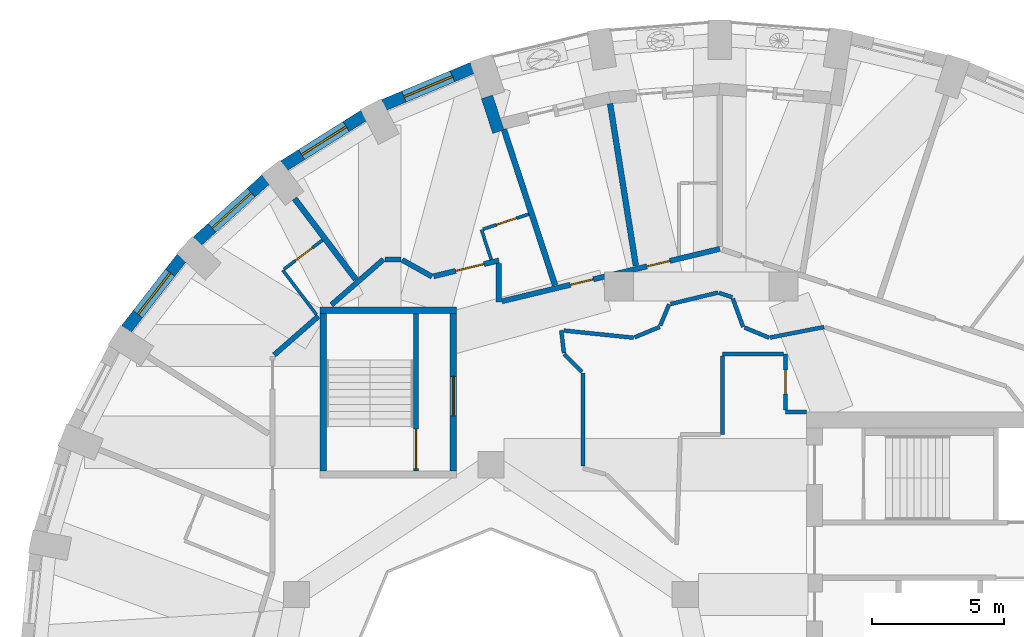
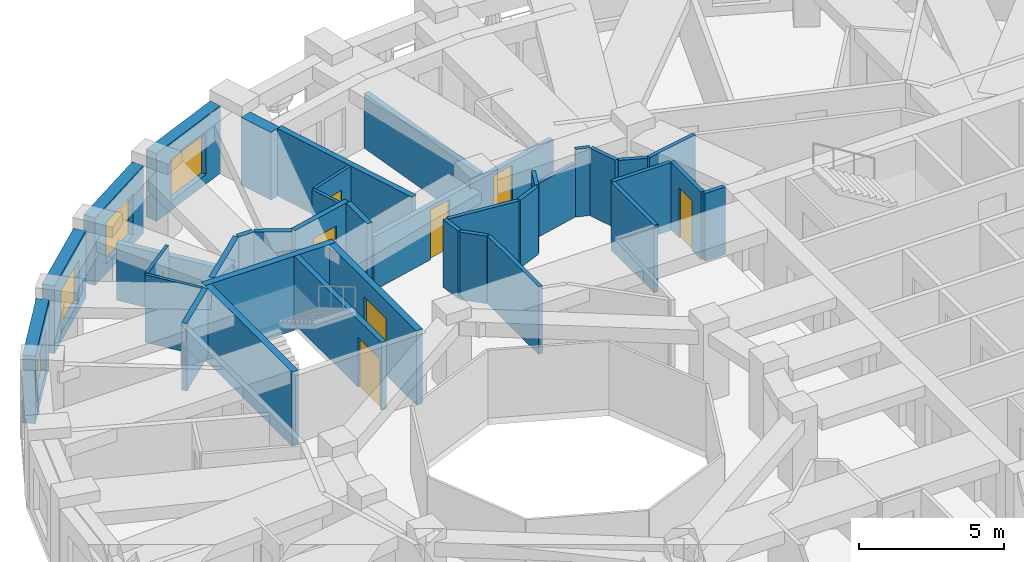
# One storey, part 7 of 12: 38 walls, 8 doors, 4 windows, 12 openings.
"""IFC4 building model written with IfcOpenShell, lengths in metres."""

from ifc_helpers import new_model, si_unit, direction, frame, frame_2d, origin, place, context, subcontext, project, spatial, rectangle, extrude, material, layer, layer_set, type_object, element, fill, save


model = new_model("IFC4")

# Units and contexts
model_context = context("Model", 3, precision=1e-05, world=origin(), true_north=direction((0.0, 1.0)))
body_context = subcontext(model_context, "Body", "Model", "MODEL_VIEW")
ifc_project = project(units=[si_unit("LENGTHUNIT", "METRE"), si_unit("AREAUNIT", "SQUARE_METRE"), si_unit("VOLUMEUNIT", "CUBIC_METRE"), si_unit("PLANEANGLEUNIT", "RADIAN"), si_unit("MASSUNIT", "GRAM", prefix="KILO")], contexts=[model_context])

# Site, building, storey
site_placement = place(None, origin())
site = spatial("IfcSite", under=ifc_project, at=site_placement, CompositionType="ELEMENT")
building_placement = place(site_placement, origin())
building = spatial("IfcBuilding", under=site, at=building_placement, Name="Taillehof Tower", CompositionType="ELEMENT")
storey_placement = place(building_placement, frame((0.0, 0.0, 225.5)))
storey = spatial("IfcBuildingStorey", under=building, at=storey_placement, Name="L64", CompositionType="ELEMENT", Elevation=225.5)

# Wall, opening, window
ifc_material_1 = material(Name="Brick masonry", Category="masonry")
ifc_layer_1 = layer(ifc_material_1, 0.449951171875)
ifc_layer_set_1 = layer_set([ifc_layer_1], Name="Brick infill wall 450")
wall_type_1 = type_object("IfcWallType", Name="Brick infill wall 450", PredefinedType="SOLIDWALL", material=ifc_layer_set_1)
wall_1_placement = place(storey_placement, frame((-8.70263671875, 23.0791015625, 0.0), z_axis=(0.0, 0.0, 1.0), x_axis=(-0.922168222612, -0.386789050006, 0.0)))
wall_1 = element("IfcWall", 1, at=wall_1_placement, inside=storey, type_object=wall_type_1, Name="Brick wall L64 bay 12", PredefinedType="SOLIDWALL", context=body_context, shape_type="SweptSolid", body=[
    extrude(rectangle(XDim=3.65087890625, YDim=0.449951171875, at=frame_2d((1.825439453125, 0.0))), origin(), (0.0, 0.0, 1.0), 2.85009765625),
])
opening_1_placement = place(wall_1_placement, frame((0.825439453125, 0.0, 0.39990234375)))
opening_1 = element("IfcOpeningElement", 2, at=opening_1_placement, cuts=wall_1, Name="Opening W2", PredefinedType="OPENING", context=body_context, shape_type="SweptSolid", body=[
    extrude(rectangle(XDim=2.0, YDim=1.75, at=frame_2d((1.0, 0.875))), frame((0.0, 0.23486328125, 0.0), z_axis=(0.0, -1.0, 0.0), x_axis=(1.0, 0.0, 0.0)), (0.0, 0.0, 1.0), 0.469970703125),
])
ifc_material_2 = material(Name="Aluminium window frame with clear double glazing", Category="aluminium")
window_type = type_object("IfcWindowType", Name="Deep-set window 2000x1750", PartitioningType="SINGLE_PANEL", PredefinedType="WINDOW", material=ifc_material_2)
window_1_placement = place(opening_1_placement, origin())
window_1 = element("IfcWindow", 3, at=window_1_placement, inside=storey, type_object=window_type, Name="W2", OverallHeight=1.75, OverallWidth=2.0, PartitioningType="SINGLE_PANEL", PredefinedType="WINDOW", context=body_context, shape_type="SweptSolid", body=[
    extrude(rectangle(XDim=2.0, YDim=1.75, at=frame_2d((1.0, 0.875))), frame((0.0, 0.034912109375, 0.0), z_axis=(0.0, -1.0, 0.0), x_axis=(1.0, 0.0, 0.0)), (0.0, 0.0, 1.0), 0.06005859375),
])
fill(opening_1, window_1)

wall_2_placement = place(storey_placement, frame((-12.832275390625, 21.27001953125, 0.0), z_axis=(0.0, 0.0, 1.0), x_axis=(-0.846138482752, -0.532963101918, 0.0)))
wall_2 = element("IfcWall", 4, at=wall_2_placement, inside=storey, type_object=wall_type_1, Name="Brick wall L64 bay 13", PredefinedType="SOLIDWALL", context=body_context, shape_type="SweptSolid", body=[
    extrude(rectangle(XDim=3.586669921875, YDim=0.449951171875, at=frame_2d((1.79345703125, 0.0))), origin(), (0.0, 0.0, 1.0), 2.85009765625),
])
opening_2_placement = place(wall_2_placement, frame((0.79345703125, 0.0, 0.39990234375)))
opening_2 = element("IfcOpeningElement", 5, at=opening_2_placement, cuts=wall_2, Name="Opening W2", PredefinedType="OPENING", context=body_context, shape_type="SweptSolid", body=[
    extrude(rectangle(XDim=2.0, YDim=1.75, at=frame_2d((1.0, 0.875))), frame((0.0, 0.23486328125, 0.0), z_axis=(0.0, -1.0, 0.0), x_axis=(1.0, 0.0, 0.0)), (0.0, 0.0, 1.0), 0.469970703125),
])
window_2_placement = place(opening_2_placement, origin())
window_2 = element("IfcWindow", 6, at=window_2_placement, inside=storey, type_object=window_type, Name="W2", OverallHeight=1.75, OverallWidth=2.0, PartitioningType="SINGLE_PANEL", PredefinedType="WINDOW", context=body_context, shape_type="SweptSolid", body=[
    extrude(rectangle(XDim=2.0, YDim=1.75, at=frame_2d((1.0, 0.875))), frame((0.0, 0.034912109375, 0.0), z_axis=(0.0, -1.0, 0.0), x_axis=(1.0, 0.0, 0.0)), (0.0, 0.0, 1.0), 0.06005859375),
])
fill(opening_2, window_2)

wall_3_placement = place(storey_placement, frame((-16.553466796875, 18.83984375, 0.0), z_axis=(0.0, 0.0, 1.0), x_axis=(-0.743442727602, -0.668799604348, 0.0)))
wall_3 = element("IfcWall", 7, at=wall_3_placement, inside=storey, type_object=wall_type_1, Name="Brick wall L64 bay 14", PredefinedType="SOLIDWALL", context=body_context, shape_type="SweptSolid", body=[
    extrude(rectangle(XDim=3.5126953125, YDim=0.449951171875, at=frame_2d((1.75634765625, 0.0))), origin(), (0.0, 0.0, 1.0), 2.85009765625),
])
opening_3_placement = place(wall_3_placement, frame((0.75634765625, 0.0, 0.39990234375)))
opening_3 = element("IfcOpeningElement", 8, at=opening_3_placement, cuts=wall_3, Name="Opening W2", PredefinedType="OPENING", context=body_context, shape_type="SweptSolid", body=[
    extrude(rectangle(XDim=2.0, YDim=1.75, at=frame_2d((1.0, 0.875))), frame((0.0, 0.23486328125, 0.0), z_axis=(0.0, -1.0, 0.0), x_axis=(1.0, 0.0, 0.0)), (0.0, 0.0, 1.0), 0.469970703125),
])
window_3_placement = place(opening_3_placement, origin())
window_3 = element("IfcWindow", 9, at=window_3_placement, inside=storey, type_object=window_type, Name="W2", OverallHeight=1.75, OverallWidth=2.0, PartitioningType="SINGLE_PANEL", PredefinedType="WINDOW", context=body_context, shape_type="SweptSolid", body=[
    extrude(rectangle(XDim=2.0, YDim=1.75, at=frame_2d((1.0, 0.875))), frame((0.0, 0.034912109375, 0.0), z_axis=(0.0, -1.0, 0.0), x_axis=(1.0, 0.0, 0.0)), (0.0, 0.0, 1.0), 0.06005859375),
])
fill(opening_3, window_3)

wall_4_placement = place(storey_placement, frame((-19.751220703125, 15.861083984375, 0.0), z_axis=(0.0, 0.0, 1.0), x_axis=(-0.614220816451, -0.789134201919, 0.0)))
wall_4 = element("IfcWall", 10, at=wall_4_placement, inside=storey, type_object=wall_type_1, Name="Brick wall L64 bay 15", PredefinedType="SOLIDWALL", context=body_context, shape_type="SweptSolid", body=[
    extrude(rectangle(XDim=3.437744140625, YDim=0.449951171875, at=frame_2d((1.71875, 0.0))), origin(), (0.0, 0.0, 1.0), 2.85009765625),
])
opening_4_placement = place(wall_4_placement, frame((0.71875, 0.0, 0.39990234375)))
opening_4 = element("IfcOpeningElement", 11, at=opening_4_placement, cuts=wall_4, Name="Opening W2", PredefinedType="OPENING", context=body_context, shape_type="SweptSolid", body=[
    extrude(rectangle(XDim=2.0, YDim=1.75, at=frame_2d((1.0, 0.875))), frame((0.0, 0.23486328125, 0.0), z_axis=(0.0, -1.0, 0.0), x_axis=(1.0, 0.0, 0.0)), (0.0, 0.0, 1.0), 0.469970703125),
])
window_4_placement = place(opening_4_placement, origin())
window_4 = element("IfcWindow", 12, at=window_4_placement, inside=storey, type_object=window_type, Name="W2", OverallHeight=1.75, OverallWidth=2.0, PartitioningType="SINGLE_PANEL", PredefinedType="WINDOW", context=body_context, shape_type="SweptSolid", body=[
    extrude(rectangle(XDim=2.0, YDim=1.75, at=frame_2d((1.0, 0.875))), frame((0.0, 0.034912109375, 0.0), z_axis=(0.0, -1.0, 0.0), x_axis=(1.0, 0.0, 0.0)), (0.0, 0.0, 1.0), 0.06005859375),
])
fill(opening_4, window_4)

# Walls
wall_5_placement = place(storey_placement, frame((-8.14990234375, 21.9765625, 0.0), z_axis=(0.0, 0.0, 1.0), x_axis=(0.312062715826, -0.950061504005, 0.0)))
element("IfcWall", 13, at=wall_5_placement, inside=storey, type_object=wall_type_1, Name="Brick reveal L64 pocket 2", PredefinedType="SOLIDWALL", context=body_context, shape_type="SweptSolid", body=[
    extrude(rectangle(XDim=1.39013671875, YDim=0.449951171875, at=frame_2d((0.695068359375, 0.0))), origin(), (0.0, 0.0, 1.0), 2.85009765625),
])
ifc_material_3 = material(Name="Gypsum board on steel studs, two layers each side", Category="steel")
ifc_layer_2 = layer(ifc_material_3, 0.199951171875)
ifc_layer_set_2 = layer_set([ifc_layer_2], Name="Compartment wall corridor 200")
wall_type_2 = type_object("IfcWallType", Name="Compartment wall corridor 200", PredefinedType="PARTITIONING", material=ifc_layer_set_2)
wall_6_placement = place(storey_placement, frame((-16.239501953125, 12.167724609375, 0.0), z_axis=(0.0, 0.0, 1.0), x_axis=(0.752820521129, 0.658225844956, 0.0)))
element("IfcWall", 14, at=wall_6_placement, inside=storey, type_object=wall_type_2, Name="Compartment wall", PredefinedType="PARTITIONING", context=body_context, shape_type="SweptSolid", body=[
    extrude(rectangle(XDim=2.232421875, YDim=0.199951171875, at=frame_2d((1.1162109375, 0.0))), origin(), (0.0, 0.0, 1.0), 2.85009765625),
])
wall_7_placement = place(storey_placement, frame((-14.062744140625, 14.071044921875, 0.0), z_axis=(0.0, 0.0, 1.0), x_axis=(0.752870230185, 0.6581689878, 0.0)))
element("IfcWall", 15, at=wall_7_placement, inside=storey, type_object=wall_type_2, Name="Compartment wall", PredefinedType="PARTITIONING", context=body_context, shape_type="SweptSolid", body=[
    extrude(rectangle(XDim=2.626953125, YDim=0.199951171875, at=frame_2d((1.3134765625, 0.0))), origin(), (0.0, 0.0, 1.0), 2.85009765625),
])
wall_8_placement = place(storey_placement, frame((-12.02490234375, 15.800048828125, 0.0), z_axis=(0.0, 0.0, 1.0), x_axis=(1.0, 0.0, 0.0)))
element("IfcWall", 16, at=wall_8_placement, inside=storey, type_object=wall_type_2, Name="Compartment wall", PredefinedType="PARTITIONING", context=body_context, shape_type="SweptSolid", body=[
    extrude(rectangle(XDim=0.614501953125, YDim=0.199951171875, at=frame_2d((0.30712890625, 0.0))), origin(), (0.0, 0.0, 1.0), 2.85009765625),
])
wall_9_placement = place(storey_placement, frame((-11.375244140625, 15.780517578125, 0.0), z_axis=(0.0, 0.0, 1.0), x_axis=(0.873538410035, -0.486755222051, 0.0)))
element("IfcWall", 17, at=wall_9_placement, inside=storey, type_object=wall_type_2, Name="Compartment wall", PredefinedType="PARTITIONING", context=body_context, shape_type="SweptSolid", body=[
    extrude(rectangle(XDim=1.303955078125, YDim=0.199951171875, at=frame_2d((0.65185546875, 0.0))), origin(), (0.0, 0.0, 1.0), 2.85009765625),
])

# Wall, opening, door
wall_10_placement = place(storey_placement, frame((-10.177490234375, 15.15966796875, 0.0), z_axis=(0.0, 0.0, 1.0), x_axis=(0.971984190663, 0.235046236094, 0.0)))
wall_10 = element("IfcWall", 18, at=wall_10_placement, inside=storey, type_object=wall_type_2, Name="Compartment wall", PredefinedType="PARTITIONING", context=body_context, shape_type="SweptSolid", body=[
    extrude(rectangle(XDim=2.548828125, YDim=0.199951171875, at=frame_2d((1.2744140625, 0.0))), origin(), (0.0, 0.0, 1.0), 2.85009765625),
])
opening_5_placement = place(wall_10_placement, frame((0.864501953125, 0.0, 0.0)))
opening_5 = element("IfcOpeningElement", 19, at=opening_5_placement, cuts=wall_10, Name="Opening D6447", PredefinedType="OPENING", context=body_context, shape_type="SweptSolid", body=[
    extrude(rectangle(XDim=1.10009765625, YDim=2.10009765625, at=frame_2d((0.550048828125, 1.050048828125))), frame((0.0, 0.10986328125, 0.0), z_axis=(0.0, -1.0, 0.0), x_axis=(1.0, 0.0, 0.0)), (0.0, 0.0, 1.0), 0.219970703125),
])
ifc_material_4 = material(Name="Timber door leaf in steel frame", Category="steel")
door_type_1 = type_object("IfcDoorType", Name="Suite entrance door EI 30 1100 x 2100", OperationType="SINGLE_SWING_LEFT", PredefinedType="DOOR", material=ifc_material_4)
door_1_placement = place(opening_5_placement, origin())
door_1 = element("IfcDoor", 20, at=door_1_placement, inside=storey, type_object=door_type_1, Name="D6447", OperationType="SINGLE_SWING_RIGHT", OverallHeight=2.10009765625, OverallWidth=1.10009765625, PredefinedType="DOOR", context=body_context, shape_type="SweptSolid", body=[
    extrude(rectangle(XDim=1.10009765625, YDim=2.10009765625, at=frame_2d((0.550048828125, 1.050048828125))), frame((0.0, 0.02490234375, 0.0), z_axis=(0.0, -1.0, 0.0), x_axis=(1.0, 0.0, 0.0)), (0.0, 0.0, 1.0), 0.050048828125),
])
fill(opening_5, door_1)

# Wall
wall_11_placement = place(storey_placement, frame((-7.699951171875, 15.638671875, 0.0), z_axis=(0.0, 0.0, 1.0), x_axis=(0.0, -1.0, 0.0)))
element("IfcWall", 21, at=wall_11_placement, inside=storey, type_object=wall_type_2, Name="Compartment wall", PredefinedType="PARTITIONING", context=body_context, shape_type="SweptSolid", body=[
    extrude(rectangle(XDim=1.458251953125, YDim=0.199951171875, at=frame_2d((0.72900390625, 0.0))), origin(), (0.0, 0.0, 1.0), 2.85009765625),
])

# Wall, openings, doors
wall_12_placement = place(storey_placement, frame((-7.582763671875, 14.208251953125, 0.0), z_axis=(0.0, 0.0, 1.0), x_axis=(0.972284712223, 0.233799996531, 0.0)))
wall_12 = element("IfcWall", 22, at=wall_12_placement, inside=storey, type_object=wall_type_2, Name="Compartment wall", PredefinedType="PARTITIONING", context=body_context, shape_type="SweptSolid", body=[
    extrude(rectangle(XDim=8.518798828125, YDim=0.199951171875, at=frame_2d((4.25927734375, 0.0))), origin(), (0.0, 0.0, 1.0), 2.25),
])
opening_6_placement = place(wall_12_placement, frame((5.66650390625, 0.0, 0.0)))
opening_6 = element("IfcOpeningElement", 23, at=opening_6_placement, cuts=wall_12, Name="Opening D6444", PredefinedType="OPENING", context=body_context, shape_type="SweptSolid", body=[
    extrude(rectangle(XDim=0.89990234375, YDim=2.10009765625, at=frame_2d((0.449951171875, 1.050048828125))), frame((0.0, 0.10986328125, 0.0), z_axis=(0.0, -1.0, 0.0), x_axis=(1.0, 0.0, 0.0)), (0.0, 0.0, 1.0), 0.219970703125),
])
opening_7_placement = place(wall_12_placement, frame((2.67431640625, 0.0, 0.0)))
opening_7 = element("IfcOpeningElement", 24, at=opening_7_placement, cuts=wall_12, Name="Opening D6446", PredefinedType="OPENING", context=body_context, shape_type="SweptSolid", body=[
    extrude(rectangle(XDim=0.89990234375, YDim=2.10009765625, at=frame_2d((0.449951171875, 1.050048828125))), frame((0.0, 0.10986328125, 0.0), z_axis=(0.0, -1.0, 0.0), x_axis=(1.0, 0.0, 0.0)), (0.0, 0.0, 1.0), 0.219970703125),
])
ifc_material_5 = material(Name="Timber door leaf in steel frame", Category="steel")
door_type_2 = type_object("IfcDoorType", Name="Guest room door EI 30 900 x 2100", OperationType="SINGLE_SWING_LEFT", PredefinedType="DOOR", material=ifc_material_5)
door_2_placement = place(opening_6_placement, origin())
door_2 = element("IfcDoor", 25, at=door_2_placement, inside=storey, type_object=door_type_2, Name="D6444", OperationType="SINGLE_SWING_LEFT", OverallHeight=2.10009765625, OverallWidth=0.89990234375, PredefinedType="DOOR", context=body_context, shape_type="SweptSolid", body=[
    extrude(rectangle(XDim=0.89990234375, YDim=2.10009765625, at=frame_2d((0.449951171875, 1.050048828125))), frame((0.0, 0.02490234375, 0.0), z_axis=(0.0, -1.0, 0.0), x_axis=(1.0, 0.0, 0.0)), (0.0, 0.0, 1.0), 0.050048828125),
])
fill(opening_6, door_2)
ifc_material_6 = material(Name="Timber door leaf in steel frame", Category="steel")
door_type_3 = type_object("IfcDoorType", Name="Service room door EI 30 900 x 2100", OperationType="SINGLE_SWING_LEFT", PredefinedType="DOOR", material=ifc_material_6)
door_3_placement = place(opening_7_placement, origin())
door_3 = element("IfcDoor", 26, at=door_3_placement, inside=storey, type_object=door_type_3, Name="D6446", OperationType="SINGLE_SWING_LEFT", OverallHeight=2.10009765625, OverallWidth=0.89990234375, PredefinedType="DOOR", context=body_context, shape_type="SweptSolid", body=[
    extrude(rectangle(XDim=0.89990234375, YDim=2.10009765625, at=frame_2d((0.449951171875, 1.050048828125))), frame((0.0, 0.02490234375, 0.0), z_axis=(0.0, -1.0, 0.0), x_axis=(1.0, 0.0, 0.0)), (0.0, 0.0, 1.0), 0.050048828125),
])
fill(opening_7, door_3)

# Walls
ifc_material_7 = material(Name="Gypsum board on double steel studs with mineral wool", Category="steel")
ifc_layer_3 = layer(ifc_material_7, 0.219970703125)
ifc_layer_set_3 = layer_set([ifc_layer_3], Name="Compartment wall guest room 220")
wall_type_3 = type_object("IfcWallType", Name="Compartment wall guest room 220", PredefinedType="PARTITIONING", material=ifc_layer_set_3)
wall_13_placement = place(storey_placement, frame((-3.470947265625, 21.719482421875, 0.0), z_axis=(0.0, 0.0, 1.0), x_axis=(0.157105510173, -0.987581823786, 0.0)))
element("IfcWall", 27, at=wall_13_placement, inside=storey, type_object=wall_type_3, Name="Compartment wall", PredefinedType="PARTITIONING", context=body_context, shape_type="SweptSolid", body=[
    extrude(rectangle(XDim=6.24072265625, YDim=0.219970703125, at=frame_2d((3.120361328125, 0.0))), origin(), (0.0, 0.0, 1.0), 2.300048828125),
])
wall_14_placement = place(storey_placement, frame((-7.508056640625, 20.743408203125, 0.0), z_axis=(0.0, 0.0, 1.0), x_axis=(0.311985211021, -0.95008695818, 0.0)))
element("IfcWall", 28, at=wall_14_placement, inside=storey, type_object=wall_type_3, Name="Compartment wall", PredefinedType="PARTITIONING", context=body_context, shape_type="SweptSolid", body=[
    extrude(rectangle(XDim=6.23681640625, YDim=0.219970703125, at=frame_2d((3.118408203125, 0.0))), origin(), (0.0, 0.0, 1.0), 2.85009765625),
])
wall_15_placement = place(storey_placement, frame((-15.46337890625, 18.112548828125, 0.0), z_axis=(0.0, 0.0, 1.0), x_axis=(0.603591792806, -0.79729351412, 0.0)))
element("IfcWall", 29, at=wall_15_placement, inside=storey, type_object=wall_type_3, Name="Compartment wall", PredefinedType="PARTITIONING", context=body_context, shape_type="SweptSolid", body=[
    extrude(rectangle(XDim=3.854248046875, YDim=0.219970703125, at=frame_2d((1.92724609375, 0.0))), origin(), (0.0, 0.0, 1.0), 2.39990234375),
])
ifc_material_8 = material(Name="Gypsum board on steel studs, two layers each side", Category="steel")
ifc_layer_4 = layer(ifc_material_8, 0.14990234375)
ifc_layer_set_4 = layer_set([ifc_layer_4], Name="Compartment wall service room 150")
wall_type_4 = type_object("IfcWallType", Name="Compartment wall service room 150", PredefinedType="PARTITIONING", material=ifc_layer_set_4)
wall_16_placement = place(storey_placement, frame((4.0009765625, 10.0, 0.0), z_axis=(0.0, 0.0, 1.0), x_axis=(-1.0, 0.0, 0.0)))
element("IfcWall", 30, at=wall_16_placement, inside=storey, type_object=wall_type_4, Name="Compartment wall", PredefinedType="PARTITIONING", context=body_context, shape_type="SweptSolid", body=[
    extrude(rectangle(XDim=0.801025390625, YDim=0.14990234375, at=frame_2d((0.400390625, 0.0))), origin(), (0.0, 0.0, 1.0), 2.85009765625),
])

# Wall, opening, door
wall_17_placement = place(storey_placement, frame((3.199951171875, 10.080078125, 0.0), z_axis=(0.0, 0.0, 1.0), x_axis=(0.0, 1.0, 0.0)))
wall_17 = element("IfcWall", 31, at=wall_17_placement, inside=storey, type_object=wall_type_4, Name="Compartment wall", PredefinedType="PARTITIONING", context=body_context, shape_type="SweptSolid", body=[
    extrude(rectangle(XDim=2.119873046875, YDim=0.14990234375, at=frame_2d((1.06005859375, 0.0))), origin(), (0.0, 0.0, 1.0), 2.85009765625),
])
opening_8_placement = place(wall_17_placement, frame((0.60986328125, 0.0, 0.0)))
opening_8 = element("IfcOpeningElement", 32, at=opening_8_placement, cuts=wall_17, Name="Opening D6468", PredefinedType="OPENING", context=body_context, shape_type="SweptSolid", body=[
    extrude(rectangle(XDim=0.89990234375, YDim=2.10009765625, at=frame_2d((0.449951171875, 1.050048828125))), frame((0.0, 0.0849609375, 0.0), z_axis=(0.0, -1.0, 0.0), x_axis=(1.0, 0.0, 0.0)), (0.0, 0.0, 1.0), 0.169921875),
])
door_4_placement = place(opening_8_placement, origin())
door_4 = element("IfcDoor", 33, at=door_4_placement, inside=storey, type_object=door_type_3, Name="D6468", OperationType="SINGLE_SWING_RIGHT", OverallHeight=2.10009765625, OverallWidth=0.89990234375, PredefinedType="DOOR", context=body_context, shape_type="SweptSolid", body=[
    extrude(rectangle(XDim=0.89990234375, YDim=2.10009765625, at=frame_2d((0.449951171875, 1.050048828125))), frame((0.0, 0.02490234375, 0.0), z_axis=(0.0, -1.0, 0.0), x_axis=(1.0, 0.0, 0.0)), (0.0, 0.0, 1.0), 0.050048828125),
])
fill(opening_8, door_4)

# Walls
wall_18_placement = place(storey_placement, frame((3.119873046875, 12.199951171875, 0.0), z_axis=(0.0, 0.0, 1.0), x_axis=(-1.0, 0.0, 0.0)))
element("IfcWall", 34, at=wall_18_placement, inside=storey, type_object=wall_type_4, Name="Compartment wall", PredefinedType="PARTITIONING", context=body_context, shape_type="SweptSolid", body=[
    extrude(rectangle(XDim=2.31982421875, YDim=0.14990234375, at=frame_2d((1.159912109375, 0.0))), origin(), (0.0, 0.0, 1.0), 2.85009765625),
])
wall_19_placement = place(storey_placement, frame((0.800048828125, 12.119873046875, 0.0), z_axis=(0.0, 0.0, 1.0), x_axis=(0.0, -1.0, 0.0)))
element("IfcWall", 35, at=wall_19_placement, inside=storey, type_object=wall_type_4, Name="Compartment wall", PredefinedType="PARTITIONING", context=body_context, shape_type="SweptSolid", body=[
    extrude(rectangle(XDim=2.969970703125, YDim=0.14990234375, at=frame_2d((1.48486328125, 0.0))), origin(), (0.0, 0.0, 1.0), 2.85009765625),
])
wall_20_placement = place(storey_placement, frame((-4.5, 7.942138671875, 0.0), z_axis=(0.0, 0.0, 1.0), x_axis=(0.0, 1.0, 0.0)))
element("IfcWall", 36, at=wall_20_placement, inside=storey, type_object=wall_type_4, Name="Compartment wall", PredefinedType="PARTITIONING", context=body_context, shape_type="SweptSolid", body=[
    extrude(rectangle(XDim=3.537841796875, YDim=0.14990234375, at=frame_2d((1.76904296875, 0.0))), origin(), (0.0, 0.0, 1.0), 2.85009765625),
])
wall_21_placement = place(storey_placement, frame((-4.54248046875, 11.5224609375, 0.0), z_axis=(0.0, 0.0, 1.0), x_axis=(-0.707106781187, 0.707106781187, 0.0)))
element("IfcWall", 37, at=wall_21_placement, inside=storey, type_object=wall_type_4, Name="Compartment wall", PredefinedType="PARTITIONING", context=body_context, shape_type="SweptSolid", body=[
    extrude(rectangle(XDim=0.9580078125, YDim=0.14990234375, at=frame_2d((0.47900390625, 0.0))), origin(), (0.0, 0.0, 1.0), 2.85009765625),
])
wall_22_placement = place(storey_placement, frame((-5.224853515625, 12.239501953125, 0.0), z_axis=(0.0, 0.0, 1.0), x_axis=(-0.117621146984, 0.993058540964, 0.0)))
element("IfcWall", 38, at=wall_22_placement, inside=storey, type_object=wall_type_4, Name="Compartment wall", PredefinedType="PARTITIONING", context=body_context, shape_type="SweptSolid", body=[
    extrude(rectangle(XDim=0.871826171875, YDim=0.14990234375, at=frame_2d((0.43603515625, 0.0))), origin(), (0.0, 0.0, 1.0), 2.85009765625),
])
wall_23_placement = place(storey_placement, frame((-5.228515625, 13.095458984375, 0.0), z_axis=(0.0, 0.0, 1.0), x_axis=(0.994729851422, -0.102530593925, 0.0)))
element("IfcWall", 39, at=wall_23_placement, inside=storey, type_object=wall_type_4, Name="Compartment wall", PredefinedType="PARTITIONING", context=body_context, shape_type="SweptSolid", body=[
    extrude(rectangle(XDim=2.6669921875, YDim=0.14990234375, at=frame_2d((1.33349609375, 0.0))), origin(), (0.0, 0.0, 1.0), 2.85009765625),
])
wall_24_placement = place(storey_placement, frame((-2.53857421875, 12.837158203125, 0.0), z_axis=(0.0, 0.0, 1.0), x_axis=(0.923768662954, 0.382950985565, 0.0)))
element("IfcWall", 40, at=wall_24_placement, inside=storey, type_object=wall_type_4, Name="Compartment wall", PredefinedType="PARTITIONING", context=body_context, shape_type="SweptSolid", body=[
    extrude(rectangle(XDim=1.031494140625, YDim=0.14990234375, at=frame_2d((0.515625, 0.0))), origin(), (0.0, 0.0, 1.0), 2.85009765625),
])
wall_25_placement = place(storey_placement, frame((-1.56298828125, 13.287841796875, 0.0), z_axis=(0.0, 0.0, 1.0), x_axis=(0.383038417634, 0.923732412886, 0.0)))
element("IfcWall", 41, at=wall_25_placement, inside=storey, type_object=wall_type_4, Name="Compartment wall", PredefinedType="PARTITIONING", context=body_context, shape_type="SweptSolid", body=[
    extrude(rectangle(XDim=0.86865234375, YDim=0.14990234375, at=frame_2d((0.434326171875, 0.0))), origin(), (0.0, 0.0, 1.0), 2.85009765625),
])
wall_26_placement = place(storey_placement, frame((-1.171630859375, 14.104248046875, 0.0), z_axis=(0.0, 0.0, 1.0), x_axis=(0.972260724841, 0.233899728371, 0.0)))
element("IfcWall", 42, at=wall_26_placement, inside=storey, type_object=wall_type_4, Name="Compartment wall", PredefinedType="PARTITIONING", context=body_context, shape_type="SweptSolid", body=[
    extrude(rectangle(XDim=1.85791015625, YDim=0.14990234375, at=frame_2d((0.928955078125, 0.0))), origin(), (0.0, 0.0, 1.0), 2.25),
])
wall_27_placement = place(storey_placement, frame((0.6728515625, 14.526611328125, 0.0), z_axis=(0.0, 0.0, 1.0), x_axis=(0.950966196829, -0.309294831008, 0.0)))
element("IfcWall", 43, at=wall_27_placement, inside=storey, type_object=wall_type_4, Name="Compartment wall", PredefinedType="PARTITIONING", context=body_context, shape_type="SweptSolid", body=[
    extrude(rectangle(XDim=0.52880859375, YDim=0.14990234375, at=frame_2d((0.264404296875, 0.0))), origin(), (0.0, 0.0, 1.0), 2.85009765625),
])
wall_28_placement = place(storey_placement, frame((1.1962890625, 14.306640625, 0.0), z_axis=(0.0, 0.0, 1.0), x_axis=(0.340730877952, -0.940160873899, 0.0)))
element("IfcWall", 44, at=wall_28_placement, inside=storey, type_object=wall_type_4, Name="Compartment wall", PredefinedType="PARTITIONING", context=body_context, shape_type="SweptSolid", body=[
    extrude(rectangle(XDim=1.142822265625, YDim=0.14990234375, at=frame_2d((0.5712890625, 0.0))), origin(), (0.0, 0.0, 1.0), 2.85009765625),
])
wall_29_placement = place(storey_placement, frame((1.641357421875, 13.20947265625, 0.0), z_axis=(0.0, 0.0, 1.0), x_axis=(0.923725449546, -0.383055209937, 0.0)))
element("IfcWall", 45, at=wall_29_placement, inside=storey, type_object=wall_type_4, Name="Compartment wall", PredefinedType="PARTITIONING", context=body_context, shape_type="SweptSolid", body=[
    extrude(rectangle(XDim=1.011474609375, YDim=0.14990234375, at=frame_2d((0.505859375, 0.0))), origin(), (0.0, 0.0, 1.0), 2.85009765625),
])
wall_30_placement = place(storey_placement, frame((2.61474609375, 12.829833984375, 0.0), z_axis=(0.0, 0.0, 1.0), x_axis=(0.98140512634, 0.191947852276, 0.0)))
element("IfcWall", 46, at=wall_30_placement, inside=storey, type_object=wall_type_4, Name="Compartment wall", PredefinedType="PARTITIONING", context=body_context, shape_type="SweptSolid", body=[
    extrude(rectangle(XDim=2.084716796875, YDim=0.14990234375, at=frame_2d((1.04248046875, 0.0))), origin(), (0.0, 0.0, 1.0), 2.85009765625),
])
ifc_material_9 = material(Name="Gypsum board on steel studs, moisture resistant", Category="steel")
ifc_layer_5 = layer(ifc_material_9, 0.1201171875)
ifc_layer_set_5 = layer_set([ifc_layer_5], Name="En-suite wall 120")
wall_type_5 = type_object("IfcWallType", Name="En-suite wall 120", PredefinedType="PARTITIONING", material=ifc_layer_set_5)
wall_31_placement = place(storey_placement, frame((-7.987060546875, 15.792236328125, 0.0), z_axis=(0.0, 0.0, 1.0), x_axis=(-0.312187467963, 0.950020518119, 0.0)))
element("IfcWall", 47, at=wall_31_placement, inside=storey, type_object=wall_type_5, Name="En-suite wall", PredefinedType="PARTITIONING", context=body_context, shape_type="SweptSolid", body=[
    extrude(rectangle(XDim=1.197265625, YDim=0.1201171875, at=frame_2d((0.5986328125, 0.0))), origin(), (0.0, 0.0, 1.0), 2.85009765625),
])
wall_32_placement = place(storey_placement, frame((-14.63427734375, 13.7041015625, 0.0), z_axis=(0.0, 0.0, 1.0), x_axis=(-0.603613230526, 0.797277284221, 0.0)))
element("IfcWall", 48, at=wall_32_placement, inside=storey, type_object=wall_type_5, Name="En-suite wall", PredefinedType="PARTITIONING", context=body_context, shape_type="SweptSolid", body=[
    extrude(rectangle(XDim=2.115234375, YDim=0.1201171875, at=frame_2d((1.0576171875, 0.0))), origin(), (0.0, 0.0, 1.0), 2.85009765625),
])

# Wall, opening, door
wall_33_placement = place(storey_placement, frame((-8.303955078125, 16.948486328125, 0.0), z_axis=(0.0, 0.0, 1.0), x_axis=(0.95011423119, 0.311902144415, 0.0)))
wall_33 = element("IfcWall", 49, at=wall_33_placement, inside=storey, type_object=wall_type_5, Name="En-suite wall", PredefinedType="PARTITIONING", context=body_context, shape_type="SweptSolid", body=[
    extrude(rectangle(XDim=1.830078125, YDim=0.1201171875, at=frame_2d((0.9150390625, 0.0))), origin(), (0.0, 0.0, 1.0), 2.85009765625),
])
opening_9_placement = place(wall_33_placement, frame((0.540283203125, 0.0, 0.0)))
opening_9 = element("IfcOpeningElement", 50, at=opening_9_placement, cuts=wall_33, Name="Opening D6448", PredefinedType="OPENING", context=body_context, shape_type="SweptSolid", body=[
    extrude(rectangle(XDim=0.800048828125, YDim=2.10009765625, at=frame_2d((0.39990234375, 1.050048828125))), frame((0.0, 0.070068359375, 0.0), z_axis=(0.0, -1.0, 0.0), x_axis=(1.0, 0.0, 0.0)), (0.0, 0.0, 1.0), 0.14013671875),
])
ifc_material_10 = material(Name="Timber door leaf in steel frame", Category="steel")
door_type_4 = type_object("IfcDoorType", Name="En-suite door 800 x 2100", OperationType="SINGLE_SWING_LEFT", PredefinedType="DOOR", material=ifc_material_10)
door_5_placement = place(opening_9_placement, origin())
door_5 = element("IfcDoor", 51, at=door_5_placement, inside=storey, type_object=door_type_4, Name="D6448", OperationType="SINGLE_SWING_RIGHT", OverallHeight=2.10009765625, OverallWidth=0.800048828125, PredefinedType="DOOR", context=body_context, shape_type="SweptSolid", body=[
    extrude(rectangle(XDim=0.800048828125, YDim=2.10009765625, at=frame_2d((0.39990234375, 1.050048828125))), frame((0.0, 0.02490234375, 0.0), z_axis=(0.0, -1.0, 0.0), x_axis=(1.0, 0.0, 0.0)), (0.0, 0.0, 1.0), 0.050048828125),
])
fill(opening_9, door_5)

wall_34_placement = place(storey_placement, frame((-15.86328125, 15.4267578125, 0.0), z_axis=(0.0, 0.0, 1.0), x_axis=(0.79730226728, 0.603580230451, 0.0)))
wall_34 = element("IfcWall", 52, at=wall_34_placement, inside=storey, type_object=wall_type_5, Name="En-suite wall", PredefinedType="PARTITIONING", context=body_context, shape_type="SweptSolid", body=[
    extrude(rectangle(XDim=1.829833984375, YDim=0.1201171875, at=frame_2d((0.9150390625, 0.0))), origin(), (0.0, 0.0, 1.0), 2.85009765625),
])
opening_10_placement = place(wall_34_placement, frame((0.5400390625, 0.0, 0.0)))
opening_10 = element("IfcOpeningElement", 53, at=opening_10_placement, cuts=wall_34, Name="Opening D6450", PredefinedType="OPENING", context=body_context, shape_type="SweptSolid", body=[
    extrude(rectangle(XDim=0.800048828125, YDim=2.10009765625, at=frame_2d((0.39990234375, 1.050048828125))), frame((0.0, 0.070068359375, 0.0), z_axis=(0.0, -1.0, 0.0), x_axis=(1.0, 0.0, 0.0)), (0.0, 0.0, 1.0), 0.14013671875),
])
door_6_placement = place(opening_10_placement, origin())
door_6 = element("IfcDoor", 54, at=door_6_placement, inside=storey, type_object=door_type_4, Name="D6450", OperationType="SINGLE_SWING_RIGHT", OverallHeight=2.10009765625, OverallWidth=0.800048828125, PredefinedType="DOOR", context=body_context, shape_type="SweptSolid", body=[
    extrude(rectangle(XDim=0.800048828125, YDim=2.10009765625, at=frame_2d((0.39990234375, 1.050048828125))), frame((0.0, 0.02490234375, 0.0), z_axis=(0.0, -1.0, 0.0), x_axis=(1.0, 0.0, 0.0)), (0.0, 0.0, 1.0), 0.050048828125),
])
fill(opening_10, door_6)

ifc_material_11 = material(Name="Concrete C50/60", Category="concrete")
ifc_layer_6 = layer(ifc_material_11, 0.199951171875)
ifc_layer_set_6 = layer_set([ifc_layer_6], Name="Shaft wall C50/60 200")
wall_type_6 = type_object("IfcWallType", Name="Shaft wall C50/60 200", PredefinedType="SHEAR", material=ifc_layer_set_6)
wall_35_placement = place(storey_placement, frame((-10.85009765625, 7.75, 0.0), z_axis=(0.0, 0.0, 1.0), x_axis=(0.0, 1.0, 0.0)))
wall_35 = element("IfcWall", 55, at=wall_35_placement, inside=storey, type_object=wall_type_6, Name="Shaft wall SW", PredefinedType="SHEAR", context=body_context, shape_type="SweptSolid", body=[
    extrude(rectangle(XDim=6.0, YDim=0.199951171875, at=frame_2d((3.0, 0.0))), origin(), (0.0, 0.0, 1.0), 2.85009765625),
])
opening_11_placement = place(wall_35_placement, frame((0.10009765625, 0.0, 0.0)))
opening_11 = element("IfcOpeningElement", 56, at=opening_11_placement, cuts=wall_35, Name="Opening D6412", PredefinedType="OPENING", context=body_context, shape_type="SweptSolid", body=[
    extrude(rectangle(XDim=1.5, YDim=2.10009765625, at=frame_2d((0.75, 1.050048828125))), frame((0.0, 0.10986328125, 0.0), z_axis=(0.0, -1.0, 0.0), x_axis=(1.0, 0.0, 0.0)), (0.0, 0.0, 1.0), 0.219970703125),
])
ifc_material_12 = material(Name="Steel-faced fire door", Category="steel")
door_type_5 = type_object("IfcDoorType", Name="Stair door 1500x2100", OperationType="DOUBLE_DOOR_SINGLE_SWING", PredefinedType="DOOR", material=ifc_material_12)
door_7_placement = place(opening_11_placement, origin())
door_7 = element("IfcDoor", 57, at=door_7_placement, inside=storey, type_object=door_type_5, Name="Stair lobby door S3", OperationType="DOUBLE_DOOR_SINGLE_SWING", OverallHeight=2.10009765625, OverallWidth=1.5, PredefinedType="DOOR", context=body_context, shape_type="SweptSolid", body=[
    extrude(rectangle(XDim=1.5, YDim=2.10009765625, at=frame_2d((0.75, 1.050048828125))), frame((0.0, 0.02490234375, 0.0), z_axis=(0.0, -1.0, 0.0), x_axis=(1.0, 0.0, 0.0)), (0.0, 0.0, 1.0), 0.050048828125),
])
fill(opening_11, door_7)

# Wall
ifc_material_13 = material(Name="Concrete C50/60", Category="concrete")
ifc_layer_7 = layer(ifc_material_13, 0.25)
ifc_layer_set_7 = layer_set([ifc_layer_7], Name="Stair wall C50/60 250")
wall_type_7 = type_object("IfcWallType", Name="Stair wall C50/60 250", PredefinedType="SHEAR", material=ifc_layer_set_7)
wall_36_placement = place(storey_placement, frame((-14.375, 7.75, -0.280029296875), z_axis=(0.0, 0.0, 1.0), x_axis=(0.0, 1.0, 0.0)))
element("IfcWall", 58, at=wall_36_placement, inside=storey, type_object=wall_type_7, Name="Stair wall SC", PredefinedType="SHEAR", context=body_context, shape_type="SweptSolid", body=[
    extrude(rectangle(XDim=6.0, YDim=0.25, at=frame_2d((3.0, 0.0))), origin(), (0.0, 0.0, 1.0), 3.130126953125),
])

# Wall, opening, door
wall_37_placement = place(storey_placement, frame((-9.425048828125, 7.75, -0.280029296875), z_axis=(0.0, 0.0, 1.0), x_axis=(0.0, 1.0, 0.0)))
wall_37 = element("IfcWall", 59, at=wall_37_placement, inside=storey, type_object=wall_type_7, Name="Stair wall SC", PredefinedType="SHEAR", context=body_context, shape_type="SweptSolid", body=[
    extrude(rectangle(XDim=6.0, YDim=0.25, at=frame_2d((3.0, 0.0))), origin(), (0.0, 0.0, 1.0), 3.130126953125),
])
opening_12_placement = place(wall_37_placement, frame((2.10009765625, 0.0, 0.280029296875)))
opening_12 = element("IfcOpeningElement", 60, at=opening_12_placement, cuts=wall_37, Name="Opening D6415", PredefinedType="OPENING", context=body_context, shape_type="SweptSolid", body=[
    extrude(rectangle(XDim=1.5, YDim=2.10009765625, at=frame_2d((0.75, 1.050048828125))), frame((0.0, 0.135009765625, 0.0), z_axis=(0.0, -1.0, 0.0), x_axis=(1.0, 0.0, 0.0)), (0.0, 0.0, 1.0), 0.27001953125),
])
door_8_placement = place(opening_12_placement, origin())
door_8 = element("IfcDoor", 61, at=door_8_placement, inside=storey, type_object=door_type_5, Name="Stair door S3", OperationType="DOUBLE_DOOR_SINGLE_SWING", OverallHeight=2.10009765625, OverallWidth=1.5, PredefinedType="DOOR", context=body_context, shape_type="SweptSolid", body=[
    extrude(rectangle(XDim=1.5, YDim=2.10009765625, at=frame_2d((0.75, 1.050048828125))), frame((0.0, 0.02490234375, 0.0), z_axis=(0.0, -1.0, 0.0), x_axis=(1.0, 0.0, 0.0)), (0.0, 0.0, 1.0), 0.050048828125),
])
fill(opening_12, door_8)

# Wall
wall_38_placement = place(storey_placement, frame((-14.5, 13.875, -0.280029296875), z_axis=(0.0, 0.0, 1.0), x_axis=(1.0, 0.0, 0.0)))
element("IfcWall", 62, at=wall_38_placement, inside=storey, type_object=wall_type_7, Name="Stair wall SC", PredefinedType="SHEAR", context=body_context, shape_type="SweptSolid", body=[
    extrude(rectangle(XDim=5.199951171875, YDim=0.25, at=frame_2d((2.60009765625, 0.0))), origin(), (0.0, 0.0, 1.0), 3.130126953125),
])

save(model, "model.ifc")
